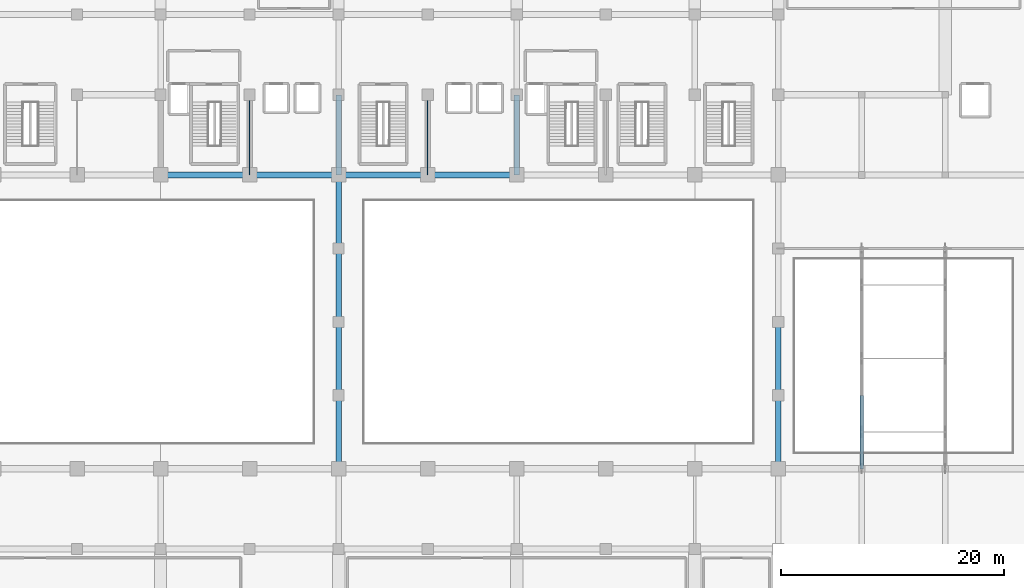
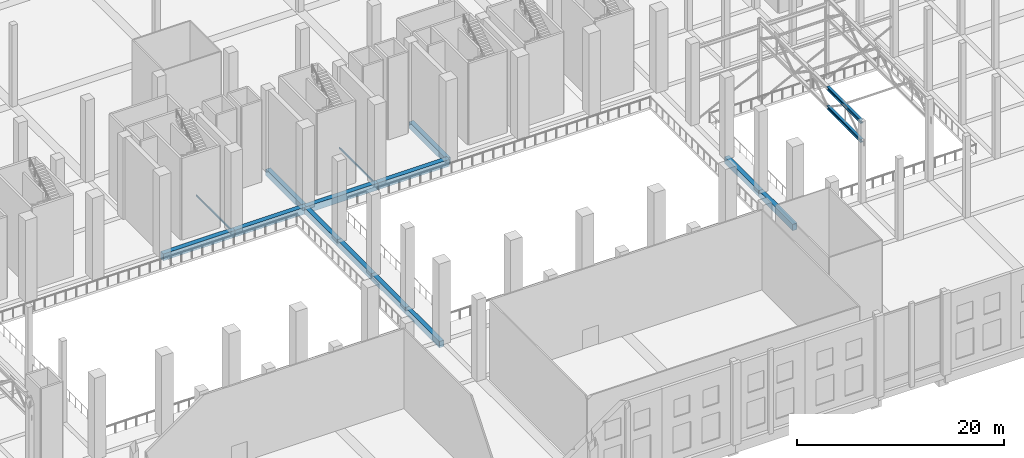
# One storey, part 29 of 80: 12 beams, 4 members.
"""IFC4 building model written with IfcOpenShell, lengths in metres."""

import ifcopenshell
import ifcopenshell.guid

model = None  # the IFC model being written
_history = None  # IfcOwnerHistory: only IFC2X3 demands one
_inside = {}  # id of a spatial element -> (the spatial element, [elements in it])
_under = {}  # id of a project, library or spatial element -> (it, [spatial elements below it])
_declared = {}  # id of a project -> (the project, [libraries it declares])
_typed = {}  # id of a type object -> (the type object, [elements of that type])
_made_of = {}  # id of a material, layer set ... -> (it, [elements and type objects made of it])


def new_model(schema):
    """Start an empty IFC model of exactly this schema.

    Asked for "IFC4X3", IfcOpenShell would pick the latest addendum, in which some entities
    have other attributes; the version numbers below select the first issue.
    IFC2X3 requires an IfcOwnerHistory on every rooted entity: one is made here for all.
    """
    global model, _history
    if schema == "IFC4X3":
        model = ifcopenshell.file(schema_version=(4, 3, 0, 0))
    else:
        model = ifcopenshell.file(schema=schema)
    _inside.clear()
    _under.clear()
    _declared.clear()
    _typed.clear()
    _made_of.clear()
    _history = None
    if model.schema == "IFC2X3":
        org = make("IfcOrganization", Name="unknown")
        user = make(
            "IfcPersonAndOrganization",
            ThePerson=make("IfcPerson", FamilyName="unknown"),
            TheOrganization=org,
        )
        app = make(
            "IfcApplication",
            ApplicationDeveloper=org,
            Version="unknown",
            ApplicationFullName="unknown",
            ApplicationIdentifier="unknown",
        )
        _history = make(
            "IfcOwnerHistory",
            OwningUser=user,
            OwningApplication=app,
            ChangeAction="ADDED",
            CreationDate=0,
        )
    return model


def make(cls, **values):
    """One entity of the class cls with the attributes given. An attribute that is None is left unset."""
    return model.create_entity(
        cls, **{name: value for name, value in values.items() if value is not None}
    )


def rooted(cls, **values):
    """An entity with a GlobalId (a new one), such as an element, a storey or a relation."""
    return make(cls, GlobalId=ifcopenshell.guid.new(), OwnerHistory=_history, **values)


def si_unit(unit_type, name, prefix=None):
    """IfcSIUnit, for example si_unit("LENGTHUNIT", "METRE", prefix="MILLI")."""
    return make("IfcSIUnit", UnitType=unit_type, Prefix=prefix, Name=name)


def assignment(units):
    """IfcUnitAssignment: the units of a project."""
    return None if units is None else make("IfcUnitAssignment", Units=units)


def point(xyz):
    """IfcCartesianPoint."""
    return None if xyz is None else make("IfcCartesianPoint", Coordinates=xyz)


def direction(xyz):
    """IfcDirection."""
    return None if xyz is None else make("IfcDirection", DirectionRatios=xyz)


def frame(location, z_axis=None, x_axis=None):
    """IfcAxis2Placement3D, a coordinate frame: its origin and axes. An axis left out is left unset."""
    return make(
        "IfcAxis2Placement3D",
        Location=point(location),
        Axis=direction(z_axis),
        RefDirection=direction(x_axis),
    )


def frame_2d(location, x_axis=None):
    """IfcAxis2Placement2D, a coordinate frame in the plane: its origin and x axis."""
    return make(
        "IfcAxis2Placement2D", Location=point(location), RefDirection=direction(x_axis)
    )


def origin():
    """The frame at (0, 0, 0) with its axes left unset."""
    return frame((0.0, 0.0, 0.0))


def origin_2d():
    """The frame at (0, 0) in the plane with its x axis left unset."""
    return frame_2d((0.0, 0.0))


def place(relative_to, where):
    """IfcLocalPlacement: puts the frame where relative to a parent placement (None: the world)."""
    return make(
        "IfcLocalPlacement", PlacementRelTo=relative_to, RelativePlacement=where
    )


def context(
    kind, dimensions, precision=None, world=None, true_north=None, identifier=None
):
    """IfcGeometricRepresentationContext, for example the 3D "Model" context."""
    return make(
        "IfcGeometricRepresentationContext",
        ContextIdentifier=identifier,
        ContextType=kind,
        CoordinateSpaceDimension=dimensions,
        Precision=precision,
        WorldCoordinateSystem=world,
        TrueNorth=true_north,
    )


def subcontext(parent, identifier, kind, view, scale=None):
    """IfcGeometricRepresentationSubContext, for example "Body" below "Model"."""
    return make(
        "IfcGeometricRepresentationSubContext",
        ContextIdentifier=identifier,
        ContextType=kind,
        ParentContext=parent,
        TargetScale=scale,
        TargetView=view,
    )


def project(units=None, contexts=None):
    """IfcProject with its units and contexts."""
    return rooted(
        "IfcProject",
        Name="project",
        RepresentationContexts=contexts,
        UnitsInContext=assignment(units),
    )


def spatial(cls, under=None, at=None, **own):
    """A site, building, storey or space (cls), placed at a placement, below another one or the project."""
    s = rooted(cls, ObjectPlacement=at, **own)
    if under is not None:
        _under.setdefault(under.id(), (under, []))[1].append(s)
    return s


def profile(cls, at=None, kind="AREA", **sizes):
    """A parametric profile (cls). Its sizes go by their IFC names, for example OverallWidth=200.0."""
    return make(cls, ProfileType=kind, Position=at, **sizes)


def rectangle(**sizes):
    """IfcRectangleProfileDef."""
    return profile("IfcRectangleProfileDef", **sizes)


def hollow_rectangle(**sizes):
    """IfcRectangleHollowProfileDef."""
    return profile("IfcRectangleHollowProfileDef", **sizes)


def i_section(**sizes):
    """IfcIShapeProfileDef."""
    return profile("IfcIShapeProfileDef", **sizes)


def extrude(swept, where, along, depth):
    """IfcExtrudedAreaSolid: the profile swept, set in the frame where, extruded along a direction by depth."""
    return make(
        "IfcExtrudedAreaSolid",
        SweptArea=swept,
        Position=where,
        ExtrudedDirection=direction(along),
        Depth=depth,
    )


def shape(context_of_items, identifier, shape_type, items):
    """IfcShapeRepresentation: the items that make up one representation, for example the "Body"."""
    return make(
        "IfcShapeRepresentation",
        ContextOfItems=context_of_items,
        RepresentationIdentifier=identifier,
        RepresentationType=shape_type,
        Items=items,
    )


def material(Name=None, Category=None):
    """IfcMaterial."""
    return make("IfcMaterial", Name=Name, Category=Category)


def material_profile(
    of_material, cross_section, Name=None, Category=None, Priority=None
):
    """IfcMaterialProfile: a cross section and its material."""
    return make(
        "IfcMaterialProfile",
        Name=Name,
        Material=of_material,
        Profile=cross_section,
        Priority=Priority,
        Category=Category,
    )


def profile_set(profiles, Name=None, composite=None):
    """IfcMaterialProfileSet."""
    return make(
        "IfcMaterialProfileSet",
        Name=Name,
        MaterialProfiles=profiles,
        CompositeProfile=composite,
    )


def made_of(thing, what):
    """Note that an element or type object is made of a material, layer set ...; save() writes the relation."""
    if what is not None:
        _made_of.setdefault(what.id(), (what, []))[1].append(thing)
    return thing


def type_object(cls, material=None, **own):
    """A type object (cls), such as IfcWallType, which elements share."""
    return made_of(rooted(cls, **own), material)


def element(
    cls,
    number,
    at=None,
    inside=None,
    cuts=None,
    type_object=None,
    material=None,
    context=None,
    identifier="Body",
    shape_type=None,
    held_by="IfcProductDefinitionShape",
    body=None,
    shapes=None,
    **own,
):
    """One element of the class cls, such as IfcWall. Its Tag is "e" and its number.

    at: its placement. inside: the storey or other place that contains it. cuts: it is an
    opening in that element (IfcRelVoidsElement). A single representation is given by context,
    identifier, shape_type and body (its items); several are given by shapes. held_by: the class
    of the entity that holds the representations. save() writes the other relations.
    """
    e = rooted(cls, Tag="e%d" % number, ObjectPlacement=at, **own)
    if body is not None:
        shapes = [shape(context, identifier, shape_type, body)]
    if shapes is not None:
        e.Representation = make(held_by, Representations=shapes)
    if inside is not None:
        _inside.setdefault(inside.id(), (inside, []))[1].append(e)
    if cuts is not None:
        rooted(
            "IfcRelVoidsElement", RelatingBuildingElement=cuts, RelatedOpeningElement=e
        )
    if type_object is not None:
        _typed.setdefault(type_object.id(), (type_object, []))[1].append(e)
    return made_of(e, material)


def aggregate(whole, parts):
    """IfcRelAggregates: a whole, such as a stair, and the parts it consists of."""
    return rooted("IfcRelAggregates", RelatingObject=whole, RelatedObjects=parts)


def save(model, path):
    """Write the relations noted so far, then the file.

    IfcRelAggregates (storeys below a building ...), IfcRelContainedInSpatialStructure (elements
    in a storey), IfcRelDefinesByType, IfcRelAssociatesMaterial and IfcRelDeclares: one each for
    every whole, place, type object, material and project.
    """
    for whole, parts in _under.values():
        aggregate(whole, parts)
    for where, things in _inside.values():
        rooted(
            "IfcRelContainedInSpatialStructure",
            RelatedElements=things,
            RelatingStructure=where,
        )
    for kind, things in _typed.values():
        rooted("IfcRelDefinesByType", RelatedObjects=things, RelatingType=kind)
    for what, things in _made_of.values():
        rooted("IfcRelAssociatesMaterial", RelatedObjects=things, RelatingMaterial=what)
    for by, libraries in _declared.values():
        rooted("IfcRelDeclares", RelatingContext=by, RelatedDefinitions=libraries)
    model.write(path)


model = new_model("IFC4")

# Units and contexts
model_context = context("Model", 3, precision=1e-05, world=origin(), true_north=direction((0.0, 1.0)))
body_context = subcontext(model_context, "Body", "Model", "MODEL_VIEW")
ifc_project = project(units=[si_unit("LENGTHUNIT", "METRE"), si_unit("AREAUNIT", "SQUARE_METRE"), si_unit("VOLUMEUNIT", "CUBIC_METRE"), si_unit("PLANEANGLEUNIT", "RADIAN"), si_unit("MASSUNIT", "GRAM", prefix="KILO")], contexts=[model_context])

# Site, building, storey
site_placement = place(None, origin())
site = spatial("IfcSite", under=ifc_project, at=site_placement, CompositionType="ELEMENT")
building_placement = place(site_placement, origin())
building = spatial("IfcBuilding", under=site, at=building_placement, Name="Akrevak Sports Hall", CompositionType="ELEMENT")
storey_placement = place(building_placement, frame((0.0, 0.0, 14.0)))
storey = spatial("IfcBuildingStorey", under=building, at=storey_placement, Name="L03", CompositionType="ELEMENT", Elevation=14.0)

# Beams
ifc_material_1 = material(Name="Concrete C40/50", Category="concrete")
ifc_material_profile_1 = material_profile(ifc_material_1, rectangle(XDim=0.5, YDim=0.75, at=origin_2d()), Name="BM 500x750", Category="concrete")
ifc_profile_set_1 = profile_set([ifc_material_profile_1], Name="Concrete C40/50")
beam_type_1 = type_object("IfcBeamType", Name="STR-BM-RC500x750", PredefinedType="BEAM", material=ifc_profile_set_1)
beam_1_placement = place(storey_placement, frame((76.0, 28.800048828125, -0.375), z_axis=(0.0, 1.0, 0.0), x_axis=(-1.0, 0.0, 0.0)))
element("IfcBeam", 1, at=beam_1_placement, inside=storey, type_object=beam_type_1, Name="Girder 11/E-F (L03)", PredefinedType="BEAM", context=body_context, shape_type="SweptSolid", body=[
    extrude(rectangle(XDim=0.5, YDim=0.75, at=origin_2d()), origin(), (0.0, 0.0, 1.0), 6.599853515625),
])
for number, where, z_axis, x_axis, name in (
    (2, (76.0, 35.39990234375, -0.375), (0.0, 1.0, 0.0), (-1.0, 0.0, 0.0), "Girder 11/F-G (L03)"),
    (3, (76.0, 42.0, -0.375), (0.0, 1.0, 0.0), (-1.0, 0.0, 0.0), "Girder 11/G-H (L03)"),
):
    element("IfcBeam", number, at=place(storey_placement, frame(where, z_axis=z_axis, x_axis=x_axis)), inside=storey, type_object=beam_type_1, Name=name, PredefinedType="BEAM", context=body_context, shape_type="SweptSolid", body=[
        extrude(rectangle(XDim=0.5, YDim=0.75, at=origin_2d()), origin(), (0.0, 0.0, 1.0), 6.60009765625),
    ])
beam_2_placement = place(storey_placement, frame((76.0, 48.60009765625, -0.375), z_axis=(0.0, 1.0, 0.0), x_axis=(-1.0, 0.0, 0.0)))
element("IfcBeam", 4, at=beam_2_placement, inside=storey, type_object=beam_type_1, Name="Girder 11/H-I (L03)", PredefinedType="BEAM", context=body_context, shape_type="SweptSolid", body=[
    extrude(rectangle(XDim=0.5, YDim=0.75, at=origin_2d()), origin(), (0.0, 0.0, 1.0), 6.599853515625),
])
for number, where, z_axis, x_axis, name in (
    (5, (76.0, 55.199951171875, -0.375), (0.0, 1.0, 0.0), (-1.0, 0.0, 0.0), "Girder 11/I-J (L03)"),
    (6, (92.0, 55.199951171875, -0.375), (0.0, 1.0, 0.0), (-1.0, 0.0, 0.0), "Girder 13/I-J (L03)"),
):
    element("IfcBeam", number, at=place(storey_placement, frame(where, z_axis=z_axis, x_axis=x_axis)), inside=storey, type_object=beam_type_1, Name=name, PredefinedType="BEAM", context=body_context, shape_type="SweptSolid", body=[
        extrude(rectangle(XDim=0.5, YDim=0.75, at=origin_2d()), origin(), (0.0, 0.0, 1.0), 7.199951171875),
    ])
beam_3_placement = place(storey_placement, frame((115.5, 28.800048828125, -0.375), z_axis=(0.0, 1.0, 0.0), x_axis=(-1.0, 0.0, 0.0)))
element("IfcBeam", 7, at=beam_3_placement, inside=storey, type_object=beam_type_1, Name="Girder 16/E-F (L03)", PredefinedType="BEAM", context=body_context, shape_type="SweptSolid", body=[
    extrude(rectangle(XDim=0.5, YDim=0.75, at=origin_2d()), origin(), (0.0, 0.0, 1.0), 6.599853515625),
])
beam_4_placement = place(storey_placement, frame((115.5, 35.39990234375, -0.375), z_axis=(0.0, 1.0, 0.0), x_axis=(-1.0, 0.0, 0.0)))
element("IfcBeam", 8, at=beam_4_placement, inside=storey, type_object=beam_type_1, Name="Girder 16/F-G (L03)", PredefinedType="BEAM", context=body_context, shape_type="SweptSolid", body=[
    extrude(rectangle(XDim=0.5, YDim=0.75, at=origin_2d()), origin(), (0.0, 0.0, 1.0), 6.60009765625),
])
ifc_material_profile_2 = material_profile(ifc_material_1, rectangle(XDim=0.550048828125, YDim=0.800048828125, at=origin_2d()), Name="BM 550x800", Category="concrete")
ifc_profile_set_2 = profile_set([ifc_material_profile_2], Name="Concrete C40/50")
beam_type_2 = type_object("IfcBeamType", Name="STR-BM-RC550x800", PredefinedType="BEAM", material=ifc_profile_set_2)
for number, where, z_axis, x_axis, name in (
    (9, (60.0, 55.199951171875, -0.39990234375), (1.0, 0.0, 0.0), (0.0, 1.0, 0.0), "Girder I/9-10 (L03)"),
    (10, (68.0, 55.199951171875, -0.39990234375), (1.0, 0.0, 0.0), (0.0, 1.0, 0.0), "Girder I/10-11 (L03)"),
    (11, (76.0, 55.199951171875, -0.39990234375), (1.0, 0.0, 0.0), (0.0, 1.0, 0.0), "Girder I/11-12 (L03)"),
    (12, (84.0, 55.199951171875, -0.39990234375), (1.0, 0.0, 0.0), (0.0, 1.0, 0.0), "Girder I/12-13 (L03)"),
):
    element("IfcBeam", number, at=place(storey_placement, frame(where, z_axis=z_axis, x_axis=x_axis)), inside=storey, type_object=beam_type_2, Name=name, PredefinedType="BEAM", context=body_context, shape_type="SweptSolid", body=[
        extrude(rectangle(XDim=0.550048828125, YDim=0.800048828125, at=origin_2d()), origin(), (0.0, 0.0, 1.0), 8.0),
    ])

# Members
ifc_material_2 = material(Name="Steel S355", Category="steel")
ifc_material_profile_3 = material_profile(ifc_material_2, i_section(OverallWidth=0.300048828125, OverallDepth=0.389892578125, WebThickness=0.010986328125, FlangeThickness=0.01904296875, FilletRadius=0.027099609375, at=origin_2d()), Name="HEA 400", Category="steel")
ifc_profile_set_3 = profile_set([ifc_material_profile_3], Name="Steel S355")
member_type_1 = type_object("IfcMemberType", Name="STR-MEM-CHORD-HEA400", PredefinedType="CHORD", material=ifc_profile_set_3)
member_1_placement = place(storey_placement, frame((123.0, 28.800048828125, 7.18994140625), z_axis=(0.0, 1.0, 0.0), x_axis=(-1.0, 0.0, 0.0)))
element("IfcMember", 13, at=member_1_placement, inside=storey, type_object=member_type_1, Name="Roof Truss 3 Bottom Chord 1", PredefinedType="CHORD", context=body_context, shape_type="SweptSolid", body=[
    extrude(i_section(OverallWidth=0.300048828125, OverallDepth=0.389892578125, WebThickness=0.010986328125, FlangeThickness=0.01904296875, FilletRadius=0.027099609375, at=origin_2d()), origin(), (0.0, 0.0, 1.0), 6.599853515625),
])
ifc_material_profile_4 = material_profile(ifc_material_2, i_section(OverallWidth=0.300048828125, OverallDepth=0.39990234375, WebThickness=0.013427734375, FlangeThickness=0.02392578125, FilletRadius=0.027099609375, at=origin_2d()), Name="HEB 400", Category="steel")
ifc_profile_set_4 = profile_set([ifc_material_profile_4], Name="Steel S355")
member_type_2 = type_object("IfcMemberType", Name="STR-MEM-CHORD-HEB400", PredefinedType="CHORD", material=ifc_profile_set_4)
member_2_placement = place(storey_placement, frame((123.0, 28.800048828125, 9.43994140625), z_axis=(0.0, 1.0, 0.0), x_axis=(-1.0, 0.0, 0.0)))
element("IfcMember", 14, at=member_2_placement, inside=storey, type_object=member_type_2, Name="Roof Truss 3 Top Chord 1", PredefinedType="CHORD", context=body_context, shape_type="SweptSolid", body=[
    extrude(i_section(OverallWidth=0.300048828125, OverallDepth=0.39990234375, WebThickness=0.013427734375, FlangeThickness=0.02392578125, FilletRadius=0.027099609375, at=origin_2d()), origin(), (0.0, 0.0, 1.0), 6.599853515625),
])
ifc_material_profile_5 = material_profile(ifc_material_2, hollow_rectangle(XDim=0.10009765625, YDim=0.179931640625, WallThickness=0.008056640625, at=origin_2d()), Name="RHS 180x100x8", Category="steel")
ifc_profile_set_5 = profile_set([ifc_material_profile_5], Name="Steel S355")
member_type_3 = type_object("IfcMemberType", Name="STR-MEM-STR-RHS180", PredefinedType="STRINGER", material=ifc_profile_set_5)
for number, where, z_axis, x_axis, name in (
    (15, (68.0, 55.199951171875, -0.3798828125), (0.0, 1.0, 0.0), (-1.0, 0.0, 0.0), "Upper Gallery Tie Stringer 3"),
    (16, (84.0, 55.199951171875, -0.3798828125), (0.0, 1.0, 0.0), (-1.0, 0.0, 0.0), "Upper Gallery Tie Stringer 4"),
):
    element("IfcMember", number, at=place(storey_placement, frame(where, z_axis=z_axis, x_axis=x_axis)), inside=storey, type_object=member_type_3, Name=name, PredefinedType="STRINGER", context=body_context, shape_type="SweptSolid", body=[
        extrude(hollow_rectangle(XDim=0.10009765625, YDim=0.179931640625, WallThickness=0.008056640625, at=origin_2d()), origin(), (0.0, 0.0, 1.0), 7.199951171875),
    ])

save(model, "model.ifc")
